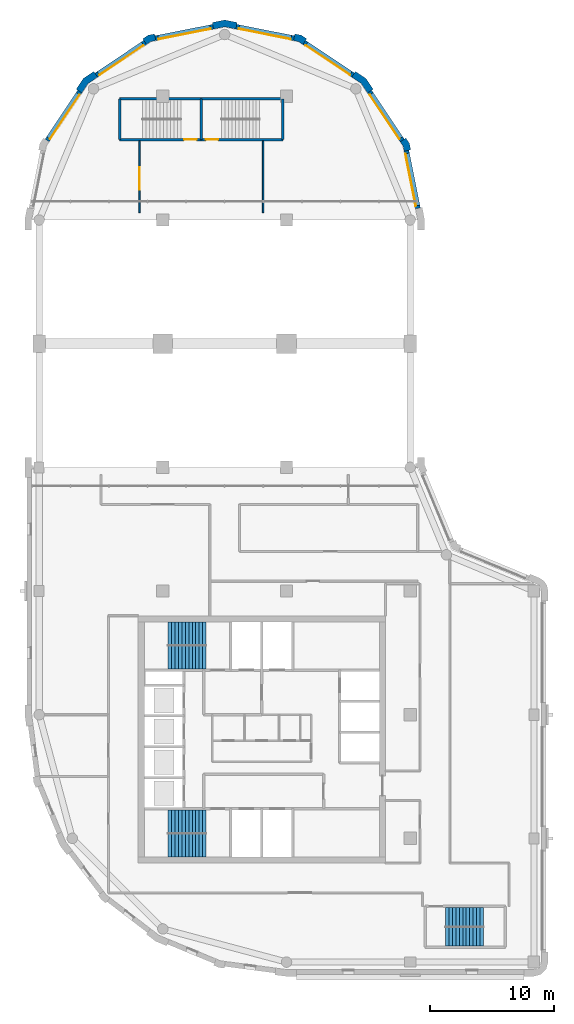
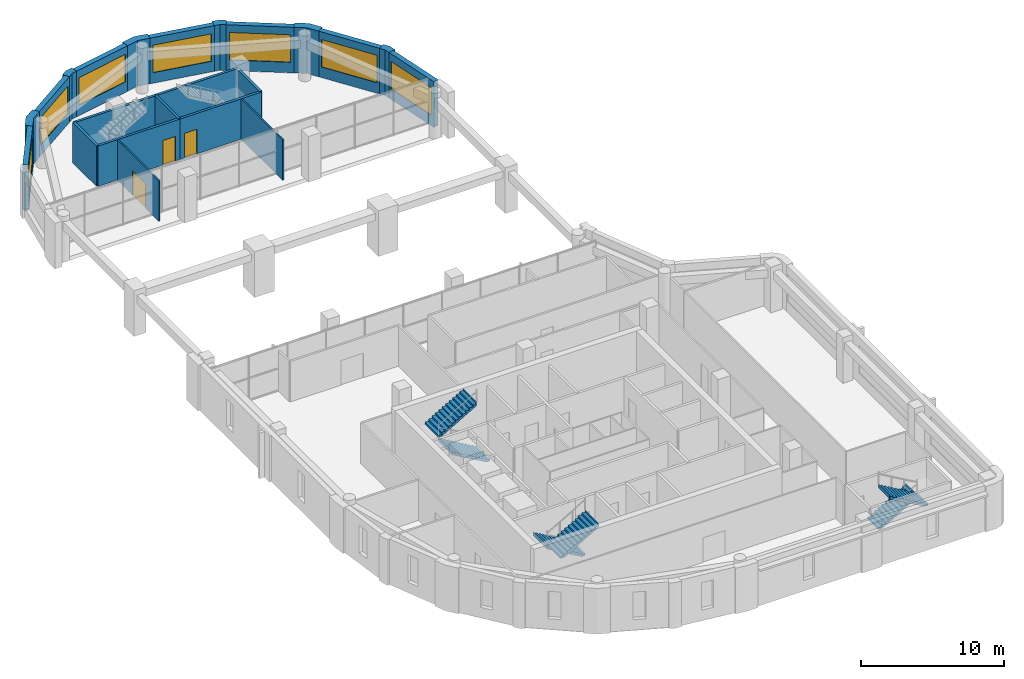
# One storey, part 8 of 11: 22 walls, 7 windows, 6 stair flights, 3 doors, 10 openings, 3 elements without a shape of their own.
"""IFC4 building model written with IfcOpenShell, lengths in metres."""

from ifc_helpers import new_model, si_unit, direction, frame, frame_2d, origin, place, context, subcontext, project, spatial, polyline, rectangle, outline, extrude, material, layer, layer_set, type_object, element, fill, aggregate, save


model = new_model("IFC4")

# Units and contexts
model_context = context("Model", 3, precision=1e-05, world=origin(), true_north=direction((0.0, 1.0)))
body_context = subcontext(model_context, "Body", "Model", "MODEL_VIEW")
ifc_project = project(units=[si_unit("LENGTHUNIT", "METRE"), si_unit("AREAUNIT", "SQUARE_METRE"), si_unit("VOLUMEUNIT", "CUBIC_METRE"), si_unit("PLANEANGLEUNIT", "RADIAN"), si_unit("MASSUNIT", "GRAM", prefix="KILO")], contexts=[model_context])

# Site, building, storey
site_placement = place(None, origin())
site = spatial("IfcSite", under=ifc_project, at=site_placement, CompositionType="ELEMENT")
building_placement = place(site_placement, origin())
building = spatial("IfcBuilding", under=site, at=building_placement, Name="Qaws Garden Tower", CompositionType="ELEMENT")
storey_placement = place(building_placement, frame((0.0, 0.0, 329.39990234375)))
storey = spatial("IfcBuildingStorey", under=building, at=storey_placement, Name="L80", CompositionType="ELEMENT", Elevation=329.39990234375)

# Wall, opening, window
ifc_material_1 = material(Name="Clay facing brick masonry", Category="masonry")
ifc_layer_1 = layer(ifc_material_1, 0.39990234375)
ifc_layer_set_1 = layer_set([ifc_layer_1], Name="Clay facing brick masonry")
wall_type_1 = type_object("IfcWallType", Name="Brick infill wall 400", PredefinedType="SOLIDWALL", material=ifc_layer_set_1)
wall_1_placement = place(storey_placement, frame((30.628662109375, 60.940673828125, 0.0), z_axis=(0.0, 0.0, 1.0), x_axis=(-0.195098533057, 0.98078364709, 0.0)))
wall_1 = element("IfcWall", 1, at=wall_1_placement, inside=storey, type_object=wall_type_1, Name="E-L80-infill-09", PredefinedType="SOLIDWALL", context=body_context, shape_type="SweptSolid", body=[
    extrude(rectangle(XDim=4.752685546875, YDim=0.39990234375, at=frame_2d((2.37646484375, 0.0))), origin(), (0.0, 0.0, 1.0), 3.900146484375),
])
opening_1_placement = place(wall_1_placement, frame((0.226318359375, 0.0, 0.89990234375)))
opening_1 = element("IfcOpeningElement", 2, at=opening_1_placement, cuts=wall_1, Name="Opening W06", PredefinedType="OPENING", context=body_context, shape_type="SweptSolid", body=[
    extrude(rectangle(XDim=4.300048828125, YDim=2.35009765625, at=frame_2d((2.14990234375, 1.175048828125))), frame((0.0, 0.2099609375, 0.0), z_axis=(0.0, -1.0, 0.0), x_axis=(1.0, 0.0, 0.0)), (0.0, 0.0, 1.0), 0.419921875),
])
ifc_material_2 = material(Name="Aluminium framed window, clear glazing", Category="aluminium")
window_type = type_object("IfcWindowType", Name="Ribbon window 4300 x 2350", PartitioningType="DOUBLE_PANEL_VERTICAL", PredefinedType="WINDOW", material=ifc_material_2)
window_1_placement = place(opening_1_placement, origin())
window_1 = element("IfcWindow", 3, at=window_1_placement, inside=storey, type_object=window_type, Name="E-L80-window-09-0", OverallHeight=2.35009765625, OverallWidth=4.300048828125, PartitioningType="SINGLE_PANEL", PredefinedType="WINDOW", context=body_context, shape_type="SweptSolid", body=[
    extrude(rectangle(XDim=4.300048828125, YDim=2.35009765625, at=frame_2d((2.14990234375, 1.175048828125))), frame((0.0, 0.159912109375, 0.0), z_axis=(0.0, -1.0, 0.0), x_axis=(1.0, 0.0, 0.0)), (0.0, 0.0, 1.0), 0.06005859375),
])
fill(opening_1, window_1)

wall_2_placement = place(storey_placement, frame((29.356689453125, 66.43408203125, 0.0), z_axis=(0.0, 0.0, 1.0), x_axis=(-0.555541552266, 0.831488775454, 0.0)))
wall_2 = element("IfcWall", 4, at=wall_2_placement, inside=storey, type_object=wall_type_1, Name="E-L80-infill-10", PredefinedType="SOLIDWALL", context=body_context, shape_type="SweptSolid", body=[
    extrude(rectangle(XDim=4.752685546875, YDim=0.39990234375, at=frame_2d((2.37646484375, 0.0))), origin(), (0.0, 0.0, 1.0), 3.900146484375),
])
opening_2_placement = place(wall_2_placement, frame((0.226318359375, 0.0, 0.89990234375)))
opening_2 = element("IfcOpeningElement", 5, at=opening_2_placement, cuts=wall_2, Name="Opening W06", PredefinedType="OPENING", context=body_context, shape_type="SweptSolid", body=[
    extrude(rectangle(XDim=4.300048828125, YDim=2.35009765625, at=frame_2d((2.14990234375, 1.175048828125))), frame((0.0, 0.2099609375, 0.0), z_axis=(0.0, -1.0, 0.0), x_axis=(1.0, 0.0, 0.0)), (0.0, 0.0, 1.0), 0.419921875),
])
window_2_placement = place(opening_2_placement, origin())
window_2 = element("IfcWindow", 6, at=window_2_placement, inside=storey, type_object=window_type, Name="E-L80-window-10-0", OverallHeight=2.35009765625, OverallWidth=4.300048828125, PartitioningType="SINGLE_PANEL", PredefinedType="WINDOW", context=body_context, shape_type="SweptSolid", body=[
    extrude(rectangle(XDim=4.300048828125, YDim=2.35009765625, at=frame_2d((2.14990234375, 1.175048828125))), frame((0.0, 0.159912109375, 0.0), z_axis=(0.0, -1.0, 0.0), x_axis=(1.0, 0.0, 0.0)), (0.0, 0.0, 1.0), 0.06005859375),
])
fill(opening_2, window_2)

wall_3_placement = place(storey_placement, frame((25.385986328125, 71.71630859375, 0.0), z_axis=(0.0, 0.0, 1.0), x_axis=(-0.831488775454, 0.555541552266, 0.0)))
wall_3 = element("IfcWall", 7, at=wall_3_placement, inside=storey, type_object=wall_type_1, Name="E-L80-infill-11", PredefinedType="SOLIDWALL", context=body_context, shape_type="SweptSolid", body=[
    extrude(rectangle(XDim=4.752685546875, YDim=0.39990234375, at=frame_2d((2.37646484375, 0.0))), origin(), (0.0, 0.0, 1.0), 3.900146484375),
])
opening_3_placement = place(wall_3_placement, frame((0.226318359375, 0.0, 0.89990234375)))
opening_3 = element("IfcOpeningElement", 8, at=opening_3_placement, cuts=wall_3, Name="Opening W06", PredefinedType="OPENING", context=body_context, shape_type="SweptSolid", body=[
    extrude(rectangle(XDim=4.300048828125, YDim=2.35009765625, at=frame_2d((2.14990234375, 1.175048828125))), frame((0.0, 0.2099609375, 0.0), z_axis=(0.0, -1.0, 0.0), x_axis=(1.0, 0.0, 0.0)), (0.0, 0.0, 1.0), 0.419921875),
])
window_3_placement = place(opening_3_placement, origin())
window_3 = element("IfcWindow", 9, at=window_3_placement, inside=storey, type_object=window_type, Name="E-L80-window-11-0", OverallHeight=2.35009765625, OverallWidth=4.300048828125, PartitioningType="SINGLE_PANEL", PredefinedType="WINDOW", context=body_context, shape_type="SweptSolid", body=[
    extrude(rectangle(XDim=4.300048828125, YDim=2.35009765625, at=frame_2d((2.14990234375, 1.175048828125))), frame((0.0, 0.159912109375, 0.0), z_axis=(0.0, -1.0, 0.0), x_axis=(1.0, 0.0, 0.0)), (0.0, 0.0, 1.0), 0.06005859375),
])
fill(opening_3, window_3)

wall_4_placement = place(storey_placement, frame((20.60205078125, 74.701416015625, 0.0), z_axis=(0.0, 0.0, 1.0), x_axis=(-0.98078364709, 0.195098533057, 0.0)))
wall_4 = element("IfcWall", 10, at=wall_4_placement, inside=storey, type_object=wall_type_1, Name="E-L80-infill-12", PredefinedType="SOLIDWALL", context=body_context, shape_type="SweptSolid", body=[
    extrude(rectangle(XDim=4.752685546875, YDim=0.39990234375, at=frame_2d((2.37646484375, 0.0))), origin(), (0.0, 0.0, 1.0), 3.900146484375),
])
opening_4_placement = place(wall_4_placement, frame((0.226318359375, 0.0, 0.89990234375)))
opening_4 = element("IfcOpeningElement", 11, at=opening_4_placement, cuts=wall_4, Name="Opening W06", PredefinedType="OPENING", context=body_context, shape_type="SweptSolid", body=[
    extrude(rectangle(XDim=4.300048828125, YDim=2.35009765625, at=frame_2d((2.14990234375, 1.175048828125))), frame((0.0, 0.2099609375, 0.0), z_axis=(0.0, -1.0, 0.0), x_axis=(1.0, 0.0, 0.0)), (0.0, 0.0, 1.0), 0.419921875),
])
window_4_placement = place(opening_4_placement, origin())
window_4 = element("IfcWindow", 12, at=window_4_placement, inside=storey, type_object=window_type, Name="E-L80-window-12-0", OverallHeight=2.35009765625, OverallWidth=4.300048828125, PartitioningType="SINGLE_PANEL", PredefinedType="WINDOW", context=body_context, shape_type="SweptSolid", body=[
    extrude(rectangle(XDim=4.300048828125, YDim=2.35009765625, at=frame_2d((2.14990234375, 1.175048828125))), frame((0.0, 0.159912109375, 0.0), z_axis=(0.0, -1.0, 0.0), x_axis=(1.0, 0.0, 0.0)), (0.0, 0.0, 1.0), 0.06005859375),
])
fill(opening_4, window_4)

wall_5_placement = place(storey_placement, frame((14.059326171875, 75.628662109375, 0.0), z_axis=(0.0, 0.0, 1.0), x_axis=(-0.98078364709, -0.195098533057, 0.0)))
wall_5 = element("IfcWall", 13, at=wall_5_placement, inside=storey, type_object=wall_type_1, Name="E-L80-infill-13", PredefinedType="SOLIDWALL", context=body_context, shape_type="SweptSolid", body=[
    extrude(rectangle(XDim=4.752685546875, YDim=0.39990234375, at=frame_2d((2.37646484375, 0.0))), origin(), (0.0, 0.0, 1.0), 3.900146484375),
])
opening_5_placement = place(wall_5_placement, frame((0.226318359375, 0.0, 0.89990234375)))
opening_5 = element("IfcOpeningElement", 14, at=opening_5_placement, cuts=wall_5, Name="Opening W06", PredefinedType="OPENING", context=body_context, shape_type="SweptSolid", body=[
    extrude(rectangle(XDim=4.300048828125, YDim=2.35009765625, at=frame_2d((2.14990234375, 1.175048828125))), frame((0.0, 0.2099609375, 0.0), z_axis=(0.0, -1.0, 0.0), x_axis=(1.0, 0.0, 0.0)), (0.0, 0.0, 1.0), 0.419921875),
])
window_5_placement = place(opening_5_placement, origin())
window_5 = element("IfcWindow", 15, at=window_5_placement, inside=storey, type_object=window_type, Name="E-L80-window-13-0", OverallHeight=2.35009765625, OverallWidth=4.300048828125, PartitioningType="SINGLE_PANEL", PredefinedType="WINDOW", context=body_context, shape_type="SweptSolid", body=[
    extrude(rectangle(XDim=4.300048828125, YDim=2.35009765625, at=frame_2d((2.14990234375, 1.175048828125))), frame((0.0, 0.159912109375, 0.0), z_axis=(0.0, -1.0, 0.0), x_axis=(1.0, 0.0, 0.0)), (0.0, 0.0, 1.0), 0.06005859375),
])
fill(opening_5, window_5)

wall_6_placement = place(storey_placement, frame((8.56591796875, 74.356689453125, 0.0), z_axis=(0.0, 0.0, 1.0), x_axis=(-0.831488775454, -0.555541552266, 0.0)))
wall_6 = element("IfcWall", 16, at=wall_6_placement, inside=storey, type_object=wall_type_1, Name="E-L80-infill-14", PredefinedType="SOLIDWALL", context=body_context, shape_type="SweptSolid", body=[
    extrude(rectangle(XDim=4.752685546875, YDim=0.39990234375, at=frame_2d((2.37646484375, 0.0))), origin(), (0.0, 0.0, 1.0), 3.900146484375),
])
opening_6_placement = place(wall_6_placement, frame((0.226318359375, 0.0, 0.89990234375)))
opening_6 = element("IfcOpeningElement", 17, at=opening_6_placement, cuts=wall_6, Name="Opening W06", PredefinedType="OPENING", context=body_context, shape_type="SweptSolid", body=[
    extrude(rectangle(XDim=4.300048828125, YDim=2.35009765625, at=frame_2d((2.14990234375, 1.175048828125))), frame((0.0, 0.2099609375, 0.0), z_axis=(0.0, -1.0, 0.0), x_axis=(1.0, 0.0, 0.0)), (0.0, 0.0, 1.0), 0.419921875),
])
window_6_placement = place(opening_6_placement, origin())
window_6 = element("IfcWindow", 18, at=window_6_placement, inside=storey, type_object=window_type, Name="E-L80-window-14-0", OverallHeight=2.35009765625, OverallWidth=4.300048828125, PartitioningType="SINGLE_PANEL", PredefinedType="WINDOW", context=body_context, shape_type="SweptSolid", body=[
    extrude(rectangle(XDim=4.300048828125, YDim=2.35009765625, at=frame_2d((2.14990234375, 1.175048828125))), frame((0.0, 0.159912109375, 0.0), z_axis=(0.0, -1.0, 0.0), x_axis=(1.0, 0.0, 0.0)), (0.0, 0.0, 1.0), 0.06005859375),
])
fill(opening_6, window_6)

wall_7_placement = place(storey_placement, frame((3.28369140625, 70.385986328125, 0.0), z_axis=(0.0, 0.0, 1.0), x_axis=(-0.555541552266, -0.831488775454, 0.0)))
wall_7 = element("IfcWall", 19, at=wall_7_placement, inside=storey, type_object=wall_type_1, Name="E-L80-infill-15", PredefinedType="SOLIDWALL", context=body_context, shape_type="SweptSolid", body=[
    extrude(rectangle(XDim=4.752685546875, YDim=0.39990234375, at=frame_2d((2.37646484375, 0.0))), origin(), (0.0, 0.0, 1.0), 3.900146484375),
])
opening_7_placement = place(wall_7_placement, frame((0.226318359375, 0.0, 0.89990234375)))
opening_7 = element("IfcOpeningElement", 20, at=opening_7_placement, cuts=wall_7, Name="Opening W06", PredefinedType="OPENING", context=body_context, shape_type="SweptSolid", body=[
    extrude(rectangle(XDim=4.300048828125, YDim=2.35009765625, at=frame_2d((2.14990234375, 1.175048828125))), frame((0.0, 0.2099609375, 0.0), z_axis=(0.0, -1.0, 0.0), x_axis=(1.0, 0.0, 0.0)), (0.0, 0.0, 1.0), 0.419921875),
])
window_7_placement = place(opening_7_placement, origin())
window_7 = element("IfcWindow", 21, at=window_7_placement, inside=storey, type_object=window_type, Name="E-L80-window-15-0", OverallHeight=2.35009765625, OverallWidth=4.300048828125, PartitioningType="SINGLE_PANEL", PredefinedType="WINDOW", context=body_context, shape_type="SweptSolid", body=[
    extrude(rectangle(XDim=4.300048828125, YDim=2.35009765625, at=frame_2d((2.14990234375, 1.175048828125))), frame((0.0, 0.159912109375, 0.0), z_axis=(0.0, -1.0, 0.0), x_axis=(1.0, 0.0, 0.0)), (0.0, 0.0, 1.0), 0.06005859375),
])
fill(opening_7, window_7)

# Walls
ifc_material_3 = material(Name="Clay facing brick masonry", Category="masonry")
ifc_layer_2 = layer(ifc_material_3, 0.550048828125)
ifc_layer_set_2 = layer_set([ifc_layer_2], Name="Clay facing brick masonry")
wall_type_2 = type_object("IfcWallType", Name="Brick kink pier 550 x 600", PredefinedType="SOLIDWALL", material=ifc_layer_set_2)
placement = place(storey_placement, origin())
element("IfcWall", 22, at=placement, inside=storey, type_object=wall_type_2, Name="E-L80-pier-10", PredefinedType="SOLIDWALL", context=body_context, shape_type="SweptSolid", body=[
    extrude(outline(polyline([(29.8974609375, 65.64111328125), (30.044677734375, 65.67041015625), (29.94140625, 66.18896484375), (29.647705078125, 66.628662109375), (29.52294921875, 66.545166015625), (29.1904296875, 66.322998046875), (29.42333984375, 65.974365234375), (29.505126953125, 65.56298828125), (29.8974609375, 65.64111328125)])), origin(), (0.0, 0.0, 1.0), 3.900146484375),
])
element("IfcWall", 23, at=placement, inside=storey, type_object=wall_type_2, Name="E-L80-pier-12", PredefinedType="SOLIDWALL", context=body_context, shape_type="SweptSolid", body=[
    extrude(outline(polyline([(21.545166015625, 74.52294921875), (21.628662109375, 74.647705078125), (21.18896484375, 74.94140625), (20.67041015625, 75.044677734375), (20.64111328125, 74.8974609375), (20.56298828125, 74.505126953125), (20.974365234375, 74.42333984375), (21.322998046875, 74.1904296875), (21.545166015625, 74.52294921875)])), origin(), (0.0, 0.0, 1.0), 3.900146484375),
])
element("IfcWall", 24, at=placement, inside=storey, type_object=wall_type_2, Name="E-L80-pier-14", PredefinedType="SOLIDWALL", context=body_context, shape_type="SweptSolid", body=[
    extrude(outline(polyline([(9.35888671875, 74.8974609375), (9.32958984375, 75.044677734375), (8.81103515625, 74.94140625), (8.371337890625, 74.647705078125), (8.454833984375, 74.52294921875), (8.677001953125, 74.1904296875), (9.025634765625, 74.42333984375), (9.43701171875, 74.505126953125), (9.35888671875, 74.8974609375)])), origin(), (0.0, 0.0, 1.0), 3.900146484375),
])
ifc_material_4 = material(Name="Clay facing brick masonry", Category="masonry")
ifc_layer_3 = layer(ifc_material_4, 0.550048828125)
ifc_layer_set_3 = layer_set([ifc_layer_3], Name="Clay facing brick masonry")
wall_type_3 = type_object("IfcWallType", Name="Brick pier 550 x 1600", PredefinedType="SOLIDWALL", material=ifc_layer_set_3)
element("IfcWall", 25, at=placement, inside=storey, type_object=wall_type_3, Name="E-L80-pier-11", PredefinedType="SOLIDWALL", context=body_context, shape_type="SweptSolid", body=[
    extrude(outline(polyline([(26.882568359375, 70.4970703125), (27.00732421875, 70.580322265625), (26.435791015625, 71.435791015625), (25.580322265625, 72.00732421875), (25.4970703125, 71.882568359375), (25.274658203125, 71.550048828125), (26.0390625, 71.0390625), (26.550048828125, 70.274658203125), (26.882568359375, 70.4970703125)])), origin(), (0.0, 0.0, 1.0), 3.900146484375),
])
element("IfcWall", 26, at=placement, inside=storey, type_object=wall_type_3, Name="E-L80-pier-13", PredefinedType="SOLIDWALL", context=body_context, shape_type="SweptSolid", body=[
    extrude(outline(polyline([(15.979736328125, 75.82470703125), (16.009033203125, 75.971923828125), (15.0, 76.172607421875), (13.990966796875, 75.971923828125), (14.020263671875, 75.82470703125), (14.098388671875, 75.432373046875), (15.0, 75.61181640625), (15.901611328125, 75.432373046875), (15.979736328125, 75.82470703125)])), origin(), (0.0, 0.0, 1.0), 3.900146484375),
])
element("IfcWall", 27, at=placement, inside=storey, type_object=wall_type_3, Name="E-L80-pier-15", PredefinedType="SOLIDWALL", context=body_context, shape_type="SweptSolid", body=[
    extrude(outline(polyline([(4.5029296875, 71.882568359375), (4.419677734375, 72.00732421875), (3.564208984375, 71.435791015625), (2.99267578125, 70.580322265625), (3.117431640625, 70.4970703125), (3.449951171875, 70.274658203125), (3.9609375, 71.0390625), (4.725341796875, 71.550048828125), (4.5029296875, 71.882568359375)])), origin(), (0.0, 0.0, 1.0), 3.900146484375),
])

# Wall, opening, door
ifc_material_5 = material(Name="Concrete C60", Category="concrete")
ifc_layer_4 = layer(ifc_material_5, 0.199951171875)
ifc_layer_set_4 = layer_set([ifc_layer_4], Name="Concrete C60")
wall_type_4 = type_object("IfcWallType", Name="Core shaft wall 200 C60", PredefinedType="SHEAR", material=ifc_layer_set_4)
wall_14_placement = place(storey_placement, frame((6.5, 66.5, 0.0), z_axis=(0.0, 0.0, 1.0), x_axis=(1.0, 0.0, 0.0)))
wall_14 = element("IfcWall", 28, at=wall_14_placement, inside=storey, type_object=wall_type_4, Name="Shaft wall", PredefinedType="SHEAR", context=body_context, shape_type="SweptSolid", body=[
    extrude(rectangle(XDim=6.60009765625, YDim=0.199951171875, at=frame_2d((3.300048828125, 0.0))), origin(), (0.0, 0.0, 1.0), 3.4501953125),
])
opening_8_placement = place(wall_14_placement, frame((5.22509765625, 0.0, 0.0)))
opening_8 = element("IfcOpeningElement", 29, at=opening_8_placement, cuts=wall_14, Name="Opening SD13", PredefinedType="OPENING", context=body_context, shape_type="SweptSolid", body=[
    extrude(rectangle(XDim=1.0, YDim=2.10009765625, at=frame_2d((0.5, 1.050048828125))), frame((0.0, 0.10986328125, 0.0), z_axis=(0.0, -1.0, 0.0), x_axis=(1.0, 0.0, 0.0)), (0.0, 0.0, 1.0), 0.219970703125),
])
ifc_material_6 = material(Name="Steel S235", Category="steel")
door_type_1 = type_object("IfcDoorType", Name="Stair door 1000x2100", OperationType="SINGLE_SWING_RIGHT", PredefinedType="DOOR", material=ifc_material_6)
door_1_placement = place(opening_8_placement, origin())
door_1 = element("IfcDoor", 30, at=door_1_placement, inside=storey, type_object=door_type_1, Name="Stair 6 door", OperationType="SINGLE_SWING_RIGHT", OverallHeight=2.10009765625, OverallWidth=1.0, PredefinedType="DOOR", context=body_context, shape_type="SweptSolid", body=[
    extrude(rectangle(XDim=1.0, YDim=2.10009765625, at=frame_2d((0.5, 1.050048828125))), frame((0.0, 0.02490234375, 0.0), z_axis=(0.0, -1.0, 0.0), x_axis=(1.0, 0.0, 0.0)), (0.0, 0.0, 1.0), 0.050048828125),
])
fill(opening_8, door_1)

wall_15_placement = place(storey_placement, frame((13.10009765625, 66.5, 0.0), z_axis=(0.0, 0.0, 1.0), x_axis=(1.0, 0.0, 0.0)))
wall_15 = element("IfcWall", 31, at=wall_15_placement, inside=storey, type_object=wall_type_4, Name="Shaft wall", PredefinedType="SHEAR", context=body_context, shape_type="SweptSolid", body=[
    extrude(rectangle(XDim=6.599853515625, YDim=0.199951171875, at=frame_2d((3.2998046875, 0.0))), origin(), (0.0, 0.0, 1.0), 3.4501953125),
])
opening_9_placement = place(wall_15_placement, frame((0.375, 0.0, 0.0)))
opening_9 = element("IfcOpeningElement", 32, at=opening_9_placement, cuts=wall_15, Name="Opening SD14", PredefinedType="OPENING", context=body_context, shape_type="SweptSolid", body=[
    extrude(rectangle(XDim=1.0, YDim=2.10009765625, at=frame_2d((0.5, 1.050048828125))), frame((0.0, 0.10986328125, 0.0), z_axis=(0.0, -1.0, 0.0), x_axis=(1.0, 0.0, 0.0)), (0.0, 0.0, 1.0), 0.219970703125),
])
door_2_placement = place(opening_9_placement, origin())
door_2 = element("IfcDoor", 33, at=door_2_placement, inside=storey, type_object=door_type_1, Name="Stair 7 door", OperationType="SINGLE_SWING_LEFT", OverallHeight=2.10009765625, OverallWidth=1.0, PredefinedType="DOOR", context=body_context, shape_type="SweptSolid", body=[
    extrude(rectangle(XDim=1.0, YDim=2.10009765625, at=frame_2d((0.5, 1.050048828125))), frame((0.0, 0.02490234375, 0.0), z_axis=(0.0, -1.0, 0.0), x_axis=(1.0, 0.0, 0.0)), (0.0, 0.0, 1.0), 0.050048828125),
])
fill(opening_9, door_2)

# Walls
wall_16_placement = place(storey_placement, frame((6.5, 69.800048828125, 0.0), z_axis=(0.0, 0.0, 1.0), x_axis=(1.0, 0.0, 0.0)))
element("IfcWall", 34, at=wall_16_placement, inside=storey, type_object=wall_type_4, Name="Shaft wall", PredefinedType="SHEAR", context=body_context, shape_type="SweptSolid", body=[
    extrude(rectangle(XDim=6.60009765625, YDim=0.199951171875, at=frame_2d((3.300048828125, 0.0))), origin(), (0.0, 0.0, 1.0), 3.4501953125),
])
wall_17_placement = place(storey_placement, frame((13.10009765625, 69.800048828125, 0.0), z_axis=(0.0, 0.0, 1.0), x_axis=(1.0, 0.0, 0.0)))
element("IfcWall", 35, at=wall_17_placement, inside=storey, type_object=wall_type_4, Name="Shaft wall", PredefinedType="SHEAR", context=body_context, shape_type="SweptSolid", body=[
    extrude(rectangle(XDim=6.599853515625, YDim=0.199951171875, at=frame_2d((3.2998046875, 0.0))), origin(), (0.0, 0.0, 1.0), 3.4501953125),
])
for number, where, z_axis, x_axis, name in (
    (36, (6.5, 66.5, 0.0), (0.0, 0.0, 1.0), (0.0, 1.0, 0.0), "Shaft wall"),
    (37, (13.10009765625, 66.5, 0.0), (0.0, 0.0, 1.0), (0.0, 1.0, 0.0), "Shaft wall"),
    (38, (19.699951171875, 66.5, 0.0), (0.0, 0.0, 1.0), (0.0, 1.0, 0.0), "Shaft wall"),
):
    element("IfcWall", number, at=place(storey_placement, frame(where, z_axis=z_axis, x_axis=x_axis)), inside=storey, type_object=wall_type_4, Name=name, PredefinedType="SHEAR", context=body_context, shape_type="SweptSolid", body=[
        extrude(rectangle(XDim=3.300048828125, YDim=0.199951171875, at=frame_2d((1.64990234375, 0.0))), origin(), (0.0, 0.0, 1.0), 3.4501953125),
    ])

# Wall, opening, door
ifc_material_7 = material(Name="Glass and aluminium framing", Category="aluminium")
ifc_layer_5 = layer(ifc_material_7, 0.1201171875)
ifc_layer_set_5 = layer_set([ifc_layer_5], Name="Glass and aluminium framing")
wall_type_5 = type_object("IfcWallType", Name="GLAZED PARTITION 120 EI 30", PredefinedType="PARTITIONING", material=ifc_layer_set_5)
wall_18_placement = place(storey_placement, frame((8.10009765625, 60.60009765625, 0.0), z_axis=(0.0, 0.0, 1.0), x_axis=(0.0, 1.0, 0.0)))
wall_18 = element("IfcWall", 39, at=wall_18_placement, inside=storey, type_object=wall_type_5, Name="O-L80-wall-020", PredefinedType="PARTITIONING", context=body_context, shape_type="SweptSolid", body=[
    extrude(rectangle(XDim=5.7998046875, YDim=0.1201171875, at=frame_2d((2.89990234375, 0.0))), origin(), (0.0, 0.0, 1.0), 3.4501953125),
])
opening_10_placement = place(wall_18_placement, frame((1.85009765625, 0.0, 0.0)))
opening_10 = element("IfcOpeningElement", 40, at=opening_10_placement, cuts=wall_18, Name="Opening C8B08", PredefinedType="OPENING", context=body_context, shape_type="SweptSolid", body=[
    extrude(rectangle(XDim=1.800048828125, YDim=2.10009765625, at=frame_2d((0.89990234375, 1.050048828125))), frame((0.0, 0.070068359375, 0.0), z_axis=(0.0, -1.0, 0.0), x_axis=(1.0, 0.0, 0.0)), (0.0, 0.0, 1.0), 0.14013671875),
])
ifc_material_8 = material(Name="Timber door leaf", Category="wood")
door_type_2 = type_object("IfcDoorType", Name="DOUBLE DOOR 1800 X 2100", OperationType="DOUBLE_DOOR_SINGLE_SWING", PredefinedType="DOOR", material=ifc_material_8)
door_3_placement = place(opening_10_placement, origin())
door_3 = element("IfcDoor", 41, at=door_3_placement, inside=storey, type_object=door_type_2, Name="O-L80-door-008", OperationType="DOUBLE_DOOR_SINGLE_SWING", OverallHeight=2.10009765625, OverallWidth=1.800048828125, PredefinedType="DOOR", context=body_context, shape_type="SweptSolid", body=[
    extrude(rectangle(XDim=1.800048828125, YDim=2.10009765625, at=frame_2d((0.89990234375, 1.050048828125))), frame((0.0, 0.02490234375, 0.0), z_axis=(0.0, -1.0, 0.0), x_axis=(1.0, 0.0, 0.0)), (0.0, 0.0, 1.0), 0.050048828125),
])
fill(opening_10, door_3)

# Wall
wall_19_placement = place(storey_placement, frame((18.10009765625, 60.60009765625, 0.0), z_axis=(0.0, 0.0, 1.0), x_axis=(0.0, 1.0, 0.0)))
element("IfcWall", 42, at=wall_19_placement, inside=storey, type_object=wall_type_5, Name="O-L80-wall-021", PredefinedType="PARTITIONING", context=body_context, shape_type="SweptSolid", body=[
    extrude(rectangle(XDim=5.7998046875, YDim=0.1201171875, at=frame_2d((2.89990234375, 0.0))), origin(), (0.0, 0.0, 1.0), 3.4501953125),
])

# Stair, stair flights
ifc_material_9 = material(Name="Concrete C40", Category="concrete")
stair_type_1 = type_object("IfcStairType", Name="Exit stair 1350", PredefinedType="HALF_TURN_STAIR", material=ifc_material_9)
stair_1 = element("IfcStair", 43, at=placement, inside=storey, type_object=stair_type_1, Name="Stair 5", PredefinedType="HALF_TURN_STAIR")
ifc_material_10 = material(Name="Concrete C40", Category="concrete")
stair_flight_type_1 = type_object("IfcStairFlightType", Name="Stair flight 1350", PredefinedType="STRAIGHT", material=ifc_material_10)
stair_flight_1_placement = place(storey_placement, frame((32.85009765625, 3.625, 0.0), z_axis=(0.0, 0.0, 1.0), x_axis=(1.0, 0.0, 0.0)))
stair_flight_1 = element("IfcStairFlight", 44, at=stair_flight_1_placement, type_object=stair_flight_type_1, Name="ST5 flight 1", NumberOfRisers=12, NumberOfTreads=11, PredefinedType="STRAIGHT", RiserHeight=0.1625, TreadLength=0.28, context=body_context, shape_type="SweptSolid", body=[
    extrude(outline(polyline([(-0.0029296875, 0.0), (-0.0029296875, 0.16259765625), (0.0, 0.16259765625), (0.280029296875, 0.16259765625), (0.280029296875, 0.324951171875), (0.56005859375, 0.324951171875), (0.56005859375, 0.487548828125), (0.840087890625, 0.487548828125), (0.840087890625, 0.64990234375), (1.1201171875, 0.64990234375), (1.1201171875, 0.8125), (1.39990234375, 0.8125), (1.39990234375, 0.97509765625), (1.679931640625, 0.97509765625), (1.679931640625, 1.137451171875), (1.9599609375, 1.137451171875), (1.9599609375, 1.300048828125), (2.239990234375, 1.300048828125), (2.239990234375, 1.46240234375), (2.52001953125, 1.46240234375), (2.52001953125, 1.625), (2.800048828125, 1.625), (2.800048828125, 1.78759765625), (3.080078125, 1.78759765625), (3.080078125, 1.949951171875), (3.0830078125, 1.949951171875), (3.0830078125, 1.6142578125), (3.080078125, 1.6142578125), (0.298583984375, 0.0), (-0.0029296875, 0.0)])), frame((0.0, 0.77490234375, 0.0), z_axis=(0.0, -1.0, 0.0), x_axis=(1.0, 0.0, 0.0)), (0.0, 0.0, 1.0), 1.550048828125),
])
stair_flight_2_placement = place(storey_placement, frame((35.929931640625, 2.074951171875, 1.9501953125), z_axis=(0.0, 0.0, 1.0), x_axis=(-1.0, 0.0, 0.0)))
stair_flight_2 = element("IfcStairFlight", 45, at=stair_flight_2_placement, type_object=stair_flight_type_1, Name="ST5 flight 2", NumberOfRisers=12, NumberOfTreads=11, PredefinedType="STRAIGHT", RiserHeight=0.1625, TreadLength=0.28, context=body_context, shape_type="SweptSolid", body=[
    extrude(outline(polyline([(-0.0029296875, 0.0), (-0.0029296875, 0.16259765625), (0.0, 0.16259765625), (0.280029296875, 0.16259765625), (0.280029296875, 0.324951171875), (0.56005859375, 0.324951171875), (0.56005859375, 0.487548828125), (0.840087890625, 0.487548828125), (0.840087890625, 0.64990234375), (1.1201171875, 0.64990234375), (1.1201171875, 0.8125), (1.39990234375, 0.8125), (1.39990234375, 0.97509765625), (1.679931640625, 0.97509765625), (1.679931640625, 1.137451171875), (1.9599609375, 1.137451171875), (1.9599609375, 1.300048828125), (2.239990234375, 1.300048828125), (2.239990234375, 1.46240234375), (2.52001953125, 1.46240234375), (2.52001953125, 1.625), (2.800048828125, 1.625), (2.800048828125, 1.78759765625), (3.080078125, 1.78759765625), (3.080078125, 1.949951171875), (3.0830078125, 1.949951171875), (3.0830078125, 1.6142578125), (3.080078125, 1.6142578125), (0.298583984375, 0.0), (-0.0029296875, 0.0)])), frame((0.0, 0.77490234375, 0.0), z_axis=(0.0, -1.0, 0.0), x_axis=(1.0, 0.0, 0.0)), (0.0, 0.0, 1.0), 1.550048828125),
])
aggregate(stair_1, [stair_flight_1, stair_flight_2])

ifc_material_11 = material(Name="Concrete C40", Category="concrete")
stair_type_2 = type_object("IfcStairType", Name="Exit stair 1500", PredefinedType="HALF_TURN_STAIR", material=ifc_material_11)
stair_2 = element("IfcStair", 46, at=placement, inside=storey, type_object=stair_type_2, Name="Stair 1", PredefinedType="HALF_TURN_STAIR")
ifc_material_12 = material(Name="Concrete C40", Category="concrete")
stair_flight_type_2 = type_object("IfcStairFlightType", Name="Stair flight 1500", PredefinedType="STRAIGHT", material=ifc_material_12)
stair_flight_3_placement = place(storey_placement, frame((13.5, 11.35009765625, 0.0), z_axis=(0.0, 0.0, 1.0), x_axis=(-1.0, 0.0, 0.0)))
stair_flight_3 = element("IfcStairFlight", 47, at=stair_flight_3_placement, type_object=stair_flight_type_2, Name="ST1 flight 1", NumberOfRisers=12, NumberOfTreads=11, PredefinedType="STRAIGHT", RiserHeight=0.1625, TreadLength=0.28, context=body_context, shape_type="SweptSolid", body=[
    extrude(outline(polyline([(-0.0029296875, 0.0), (-0.0029296875, 0.16259765625), (0.0, 0.16259765625), (0.280029296875, 0.16259765625), (0.280029296875, 0.324951171875), (0.56005859375, 0.324951171875), (0.56005859375, 0.487548828125), (0.840087890625, 0.487548828125), (0.840087890625, 0.64990234375), (1.1201171875, 0.64990234375), (1.1201171875, 0.8125), (1.39990234375, 0.8125), (1.39990234375, 0.97509765625), (1.679931640625, 0.97509765625), (1.679931640625, 1.137451171875), (1.9599609375, 1.137451171875), (1.9599609375, 1.300048828125), (2.239990234375, 1.300048828125), (2.239990234375, 1.46240234375), (2.52001953125, 1.46240234375), (2.52001953125, 1.625), (2.800048828125, 1.625), (2.800048828125, 1.78759765625), (3.080078125, 1.78759765625), (3.080078125, 1.949951171875), (3.0830078125, 1.949951171875), (3.0830078125, 1.6142578125), (3.080078125, 1.6142578125), (0.298583984375, 0.0), (-0.0029296875, 0.0)])), frame((0.0, 0.949951171875, 0.0), z_axis=(0.0, -1.0, 0.0), x_axis=(1.0, 0.0, 0.0)), (0.0, 0.0, 1.0), 1.89990234375),
])
stair_flight_4_placement = place(storey_placement, frame((10.419921875, 9.449951171875, 1.9501953125), z_axis=(0.0, 0.0, 1.0), x_axis=(1.0, 0.0, 0.0)))
stair_flight_4 = element("IfcStairFlight", 48, at=stair_flight_4_placement, type_object=stair_flight_type_2, Name="ST1 flight 2", NumberOfRisers=12, NumberOfTreads=11, PredefinedType="STRAIGHT", RiserHeight=0.1625, TreadLength=0.28, context=body_context, shape_type="SweptSolid", body=[
    extrude(outline(polyline([(-0.0029296875, 0.0), (-0.0029296875, 0.16259765625), (0.0, 0.16259765625), (0.280029296875, 0.16259765625), (0.280029296875, 0.324951171875), (0.56005859375, 0.324951171875), (0.56005859375, 0.487548828125), (0.840087890625, 0.487548828125), (0.840087890625, 0.64990234375), (1.1201171875, 0.64990234375), (1.1201171875, 0.8125), (1.39990234375, 0.8125), (1.39990234375, 0.97509765625), (1.679931640625, 0.97509765625), (1.679931640625, 1.137451171875), (1.9599609375, 1.137451171875), (1.9599609375, 1.300048828125), (2.239990234375, 1.300048828125), (2.239990234375, 1.46240234375), (2.52001953125, 1.46240234375), (2.52001953125, 1.625), (2.800048828125, 1.625), (2.800048828125, 1.78759765625), (3.080078125, 1.78759765625), (3.080078125, 1.949951171875), (3.0830078125, 1.949951171875), (3.0830078125, 1.6142578125), (3.080078125, 1.6142578125), (0.298583984375, 0.0), (-0.0029296875, 0.0)])), frame((0.0, 0.949951171875, 0.0), z_axis=(0.0, -1.0, 0.0), x_axis=(1.0, 0.0, 0.0)), (0.0, 0.0, 1.0), 1.89990234375),
])
aggregate(stair_2, [stair_flight_3, stair_flight_4])

stair_3 = element("IfcStair", 49, at=placement, inside=storey, type_object=stair_type_2, Name="Stair 4", PredefinedType="HALF_TURN_STAIR")
stair_flight_5_placement = place(storey_placement, frame((13.5, 24.64990234375, 0.0), z_axis=(0.0, 0.0, 1.0), x_axis=(-1.0, 0.0, 0.0)))
stair_flight_5 = element("IfcStairFlight", 50, at=stair_flight_5_placement, type_object=stair_flight_type_2, Name="ST4 flight 1", NumberOfRisers=12, NumberOfTreads=11, PredefinedType="STRAIGHT", RiserHeight=0.1625, TreadLength=0.28, context=body_context, shape_type="SweptSolid", body=[
    extrude(outline(polyline([(-0.0029296875, 0.0), (-0.0029296875, 0.16259765625), (0.0, 0.16259765625), (0.280029296875, 0.16259765625), (0.280029296875, 0.324951171875), (0.56005859375, 0.324951171875), (0.56005859375, 0.487548828125), (0.840087890625, 0.487548828125), (0.840087890625, 0.64990234375), (1.1201171875, 0.64990234375), (1.1201171875, 0.8125), (1.39990234375, 0.8125), (1.39990234375, 0.97509765625), (1.679931640625, 0.97509765625), (1.679931640625, 1.137451171875), (1.9599609375, 1.137451171875), (1.9599609375, 1.300048828125), (2.239990234375, 1.300048828125), (2.239990234375, 1.46240234375), (2.52001953125, 1.46240234375), (2.52001953125, 1.625), (2.800048828125, 1.625), (2.800048828125, 1.78759765625), (3.080078125, 1.78759765625), (3.080078125, 1.949951171875), (3.0830078125, 1.949951171875), (3.0830078125, 1.6142578125), (3.080078125, 1.6142578125), (0.298583984375, 0.0), (-0.0029296875, 0.0)])), frame((0.0, 0.94482421875, 0.0), z_axis=(0.0, -1.0, 0.0), x_axis=(1.0, 0.0, 0.0)), (0.0, 0.0, 1.0), 1.889892578125),
])
stair_flight_6_placement = place(storey_placement, frame((10.419921875, 26.550048828125, 1.9501953125), z_axis=(0.0, 0.0, 1.0), x_axis=(1.0, 0.0, 0.0)))
stair_flight_6 = element("IfcStairFlight", 51, at=stair_flight_6_placement, type_object=stair_flight_type_2, Name="ST4 flight 2", NumberOfRisers=12, NumberOfTreads=11, PredefinedType="STRAIGHT", RiserHeight=0.1625, TreadLength=0.28, context=body_context, shape_type="SweptSolid", body=[
    extrude(outline(polyline([(-0.0029296875, 0.0), (-0.0029296875, 0.16259765625), (0.0, 0.16259765625), (0.280029296875, 0.16259765625), (0.280029296875, 0.324951171875), (0.56005859375, 0.324951171875), (0.56005859375, 0.487548828125), (0.840087890625, 0.487548828125), (0.840087890625, 0.64990234375), (1.1201171875, 0.64990234375), (1.1201171875, 0.8125), (1.39990234375, 0.8125), (1.39990234375, 0.97509765625), (1.679931640625, 0.97509765625), (1.679931640625, 1.137451171875), (1.9599609375, 1.137451171875), (1.9599609375, 1.300048828125), (2.239990234375, 1.300048828125), (2.239990234375, 1.46240234375), (2.52001953125, 1.46240234375), (2.52001953125, 1.625), (2.800048828125, 1.625), (2.800048828125, 1.78759765625), (3.080078125, 1.78759765625), (3.080078125, 1.949951171875), (3.0830078125, 1.949951171875), (3.0830078125, 1.6142578125), (3.080078125, 1.6142578125), (0.298583984375, 0.0), (-0.0029296875, 0.0)])), frame((0.0, 0.94482421875, 0.0), z_axis=(0.0, -1.0, 0.0), x_axis=(1.0, 0.0, 0.0)), (0.0, 0.0, 1.0), 1.889892578125),
])
aggregate(stair_3, [stair_flight_5, stair_flight_6])

save(model, "model.ifc")
